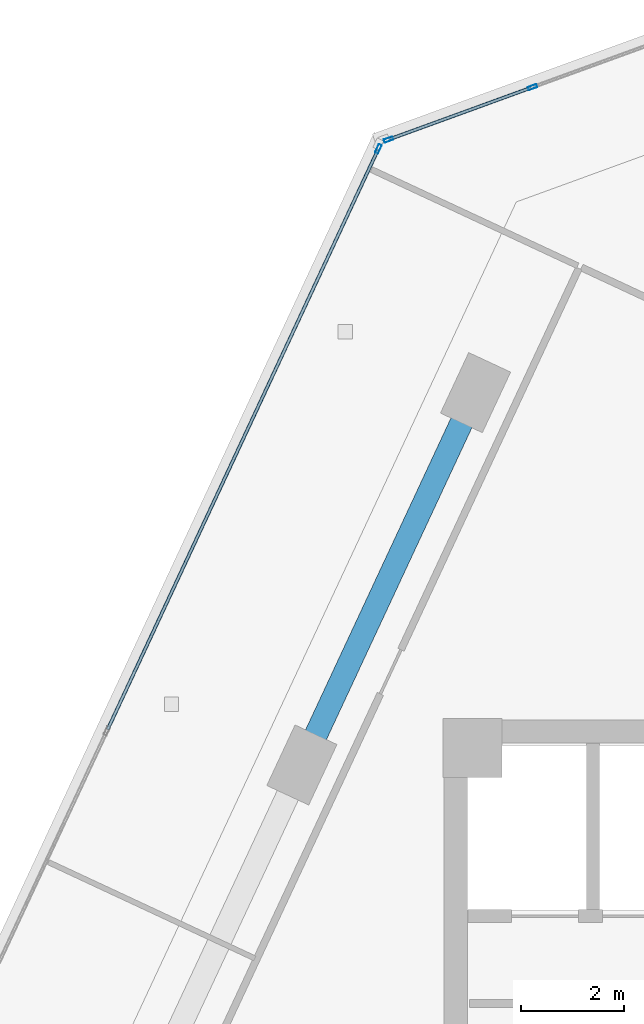
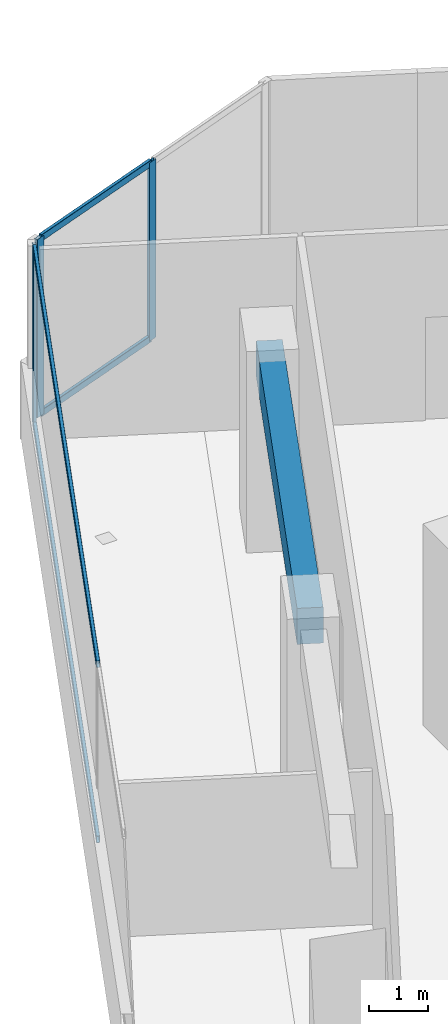
# One storey, part 11 of 23: 7 members, 1 beam, 2 elements without a shape of their own.
"""IFC4 building model written with IfcOpenShell, lengths in metres."""

from ifc_helpers import new_model, si_unit, direction, frame, origin, origin_2d, place, context, subcontext, project, spatial, rectangle, hollow_rectangle, extrude, source, transform, mapped, material, material_profile, profile_set, type_object, element, aggregate, save


model = new_model("IFC4")

# Units and contexts
model_context = context("Model", 3, precision=1e-05, world=origin(), true_north=direction((0.0, 1.0)))
body_context = subcontext(model_context, "Body", "Model", "MODEL_VIEW")
ifc_project = project(units=[si_unit("LENGTHUNIT", "METRE"), si_unit("AREAUNIT", "SQUARE_METRE"), si_unit("VOLUMEUNIT", "CUBIC_METRE"), si_unit("PLANEANGLEUNIT", "RADIAN"), si_unit("MASSUNIT", "GRAM", prefix="KILO")], contexts=[model_context])

# Site, building, storey
site_placement = place(None, origin())
site = spatial("IfcSite", under=ifc_project, at=site_placement, CompositionType="ELEMENT")
building_placement = place(site_placement, origin())
building = spatial("IfcBuilding", under=site, at=building_placement, Name="Torre Montelarca", CompositionType="ELEMENT")
storey_placement = place(building_placement, frame((0.0, 0.0, 154.0)))
storey = spatial("IfcBuildingStorey", under=building, at=storey_placement, Name="L34", CompositionType="ELEMENT", Elevation=154.0)

# Beam
ifc_material_1 = material(Name="Concrete C55/67", Category="concrete")
ifc_material_profile_1 = material_profile(ifc_material_1, rectangle(XDim=0.449951171875, YDim=0.75, at=origin_2d()), Name="RCB450X750", Category="concrete")
ifc_profile_set_1 = profile_set([ifc_material_profile_1], Name="Concrete C55/67")
beam_type = type_object("IfcBeamType", Name="BM-SP-RC750-EXT", PredefinedType="SPANDREL", material=ifc_profile_set_1)
shared_shape_1 = source(origin(), body_context, "Body", "SweptSolid", [
    extrude(rectangle(XDim=0.449951171875, YDim=0.75, at=origin_2d()), origin(), (0.0, 0.0, 1.0), 8.0),
])
beam_placement = place(storey_placement, frame((6.228759765625, 39.12109375, 3.5849609375), z_axis=(0.422608113797, 0.906312519031, 0.0), x_axis=(-0.906312519031, 0.422608113797, 0.0)))
element("IfcBeam", 1, at=beam_placement, inside=storey, type_object=beam_type, Name="L34 Grid Girder Y 32.0-40.0 at X=4.7", PredefinedType="SPANDREL", context=body_context, shape_type="MappedRepresentation", body=[
    mapped(shared_shape_1, transform((0.0, 0.0, 0.0), scale=1.0)),
])

# Curtain wall, members
ifc_material_2 = material(Name="Insulated low-E laminated glass", Category="glass")
curtain_wall_type = type_object("IfcCurtainWallType", Name="CW-SYS-Z2", PredefinedType="USERDEFINED", material=ifc_material_2)
curtain_wall_1_placement = place(storey_placement, origin())
curtain_wall_1 = element("IfcCurtainWall", 2, at=curtain_wall_1_placement, inside=storey, type_object=curtain_wall_type, Name="L34 Curtain Wall Run CW-T3-L34-E09-B1", ObjectType="UNITISED GLAZING", PredefinedType="USERDEFINED")
ifc_material_3 = material(Name="Anodised aluminium AA 6063-T6", Category="aluminium")
ifc_material_profile_2 = material_profile(ifc_material_3, hollow_rectangle(XDim=0.06494140625, YDim=0.139892578125, WallThickness=0.00390625, InnerFilletRadius=0.00390625, OuterFilletRadius=0.008056640625, at=origin_2d()), Name="ALU65X140X4", Category="aluminium")
ifc_profile_set_2 = profile_set([ifc_material_profile_2], Name="Anodised aluminium AA 6063-T6")
member_type_1 = type_object("IfcMemberType", Name="CWT-ALU140", PredefinedType="USERDEFINED", material=ifc_profile_set_2)
shared_shape_2 = source(origin(), body_context, "Body", "SweptSolid", [
    extrude(hollow_rectangle(XDim=0.06494140625, YDim=0.139892578125, WallThickness=0.00390625, InnerFilletRadius=0.00390625, OuterFilletRadius=0.008056640625, at=origin_2d()), origin(), (0.0, 0.0, 1.0), 2.91845703125),
])
member_1_placement = place(storey_placement, frame((10.68798828125, 52.30712890625, 0.032470703125), z_axis=(-0.939678576029, -0.342058728513, 0.0), x_axis=(0.342058728513, -0.939678576029, 0.0)))
member_1 = element("IfcMember", 3, at=member_1_placement, type_object=member_type_1, Name="CW transom 2.1", ObjectType="TRANSOM", PredefinedType="USERDEFINED", context=body_context, shape_type="MappedRepresentation", body=[
    mapped(shared_shape_2, transform((0.0, 0.0, 0.0), scale=1.0)),
])
member_2_placement = place(storey_placement, frame((10.68798828125, 52.30712890625, 3.6875), z_axis=(-0.939678576029, -0.342058728513, 0.0), x_axis=(0.342058728513, -0.939678576029, 0.0)))
member_2 = element("IfcMember", 4, at=member_2_placement, type_object=member_type_1, Name="CW transom 2.2", ObjectType="TRANSOM", PredefinedType="USERDEFINED", context=body_context, shape_type="MappedRepresentation", body=[
    mapped(shared_shape_2, transform((0.0, 0.0, 0.0), scale=1.0)),
])

curtain_wall_2_placement = place(storey_placement, origin())
curtain_wall_2 = element("IfcCurtainWall", 5, at=curtain_wall_2_placement, inside=storey, type_object=curtain_wall_type, Name="L34 Curtain Wall Run CW-T3-L34-E10-B1", ObjectType="UNITISED GLAZING", PredefinedType="USERDEFINED")
shared_shape_3 = source(origin(), body_context, "Body", "SweptSolid", [
    extrude(hollow_rectangle(XDim=0.06494140625, YDim=0.139892578125, WallThickness=0.00390625, InnerFilletRadius=0.00390625, OuterFilletRadius=0.008056640625, at=origin_2d()), origin(), (0.0, 0.0, 1.0), 12.436767578125),
])
member_3_placement = place(storey_placement, frame((7.704345703125, 51.087890625, 0.032470703125), z_axis=(-0.422610329059, -0.906311486065, 0.0), x_axis=(0.906311486065, -0.422610329059, 0.0)))
member_3 = element("IfcMember", 6, at=member_3_placement, type_object=member_type_1, Name="CW transom 1.1", ObjectType="TRANSOM", PredefinedType="USERDEFINED", context=body_context, shape_type="MappedRepresentation", body=[
    mapped(shared_shape_3, transform((0.0, 0.0, 0.0), scale=1.0)),
])
member_4_placement = place(storey_placement, frame((7.704345703125, 51.087890625, 3.6875), z_axis=(-0.422610329059, -0.906311486065, 0.0), x_axis=(0.906311486065, -0.422610329059, 0.0)))
member_4 = element("IfcMember", 7, at=member_4_placement, type_object=member_type_1, Name="CW transom 1.2", ObjectType="TRANSOM", PredefinedType="USERDEFINED", context=body_context, shape_type="MappedRepresentation", body=[
    mapped(shared_shape_3, transform((0.0, 0.0, 0.0), scale=1.0)),
])

# Member
ifc_material_profile_3 = material_profile(ifc_material_3, hollow_rectangle(XDim=0.06494140625, YDim=0.179931640625, WallThickness=0.00390625, InnerFilletRadius=0.00390625, OuterFilletRadius=0.008056640625, at=origin_2d()), Name="ALU65X180X4", Category="aluminium")
ifc_profile_set_3 = profile_set([ifc_material_profile_3], Name="Anodised aluminium AA 6063-T6")
member_type_2 = type_object("IfcMemberType", Name="CWM-ALU180", PredefinedType="MULLION", material=ifc_profile_set_3)
shared_shape_4 = source(origin(), body_context, "Body", "SweptSolid", [
    extrude(hollow_rectangle(XDim=0.06494140625, YDim=0.179931640625, WallThickness=0.00390625, InnerFilletRadius=0.00390625, OuterFilletRadius=0.008056640625, at=origin_2d()), origin(), (0.0, 0.0, 1.0), 3.719970703125),
])
member_5_placement = place(storey_placement, frame((10.71875, 52.318115234375, 0.0), z_axis=(0.0, 0.0, 1.0), x_axis=(0.342021244323, -0.939692220055, 0.0)))
member_5 = element("IfcMember", 8, at=member_5_placement, type_object=member_type_2, Name="CW mullion 2", PredefinedType="MULLION", context=body_context, shape_type="MappedRepresentation", body=[
    mapped(shared_shape_4, transform((0.0, 0.0, 0.0), scale=1.0)),
])

member_6_placement = place(storey_placement, frame((7.9150390625, 51.297607421875, 0.0), z_axis=(0.0, 0.0, 1.0), x_axis=(0.342021244323, -0.939692220055, 0.0)))
member_6 = element("IfcMember", 9, at=member_6_placement, type_object=member_type_2, Name="CW mullion 3", PredefinedType="MULLION", context=body_context, shape_type="MappedRepresentation", body=[
    mapped(shared_shape_4, transform((0.0, 0.0, 0.0), scale=1.0)),
])

aggregate(curtain_wall_1, [member_5, member_6, member_1, member_2])

member_7_placement = place(storey_placement, frame((7.718017578125, 51.117431640625, 0.0), z_axis=(0.0, 0.0, 1.0), x_axis=(0.906309673549, -0.422614216079, 0.0)))
member_7 = element("IfcMember", 10, at=member_7_placement, type_object=member_type_2, Name="CW mullion 1", PredefinedType="MULLION", context=body_context, shape_type="MappedRepresentation", body=[
    mapped(shared_shape_4, transform((0.0, 0.0, 0.0), scale=1.0)),
])

aggregate(curtain_wall_2, [member_7, member_3, member_4])

save(model, "model.ifc")
